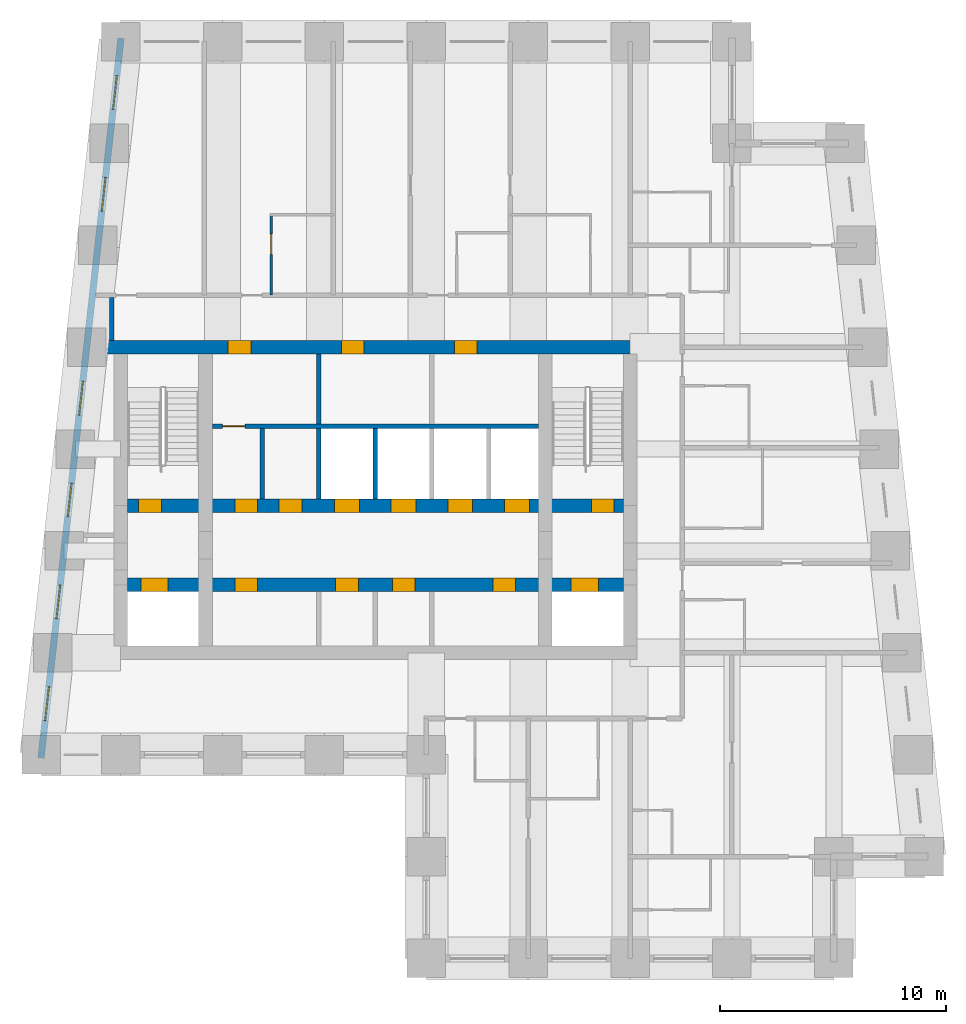
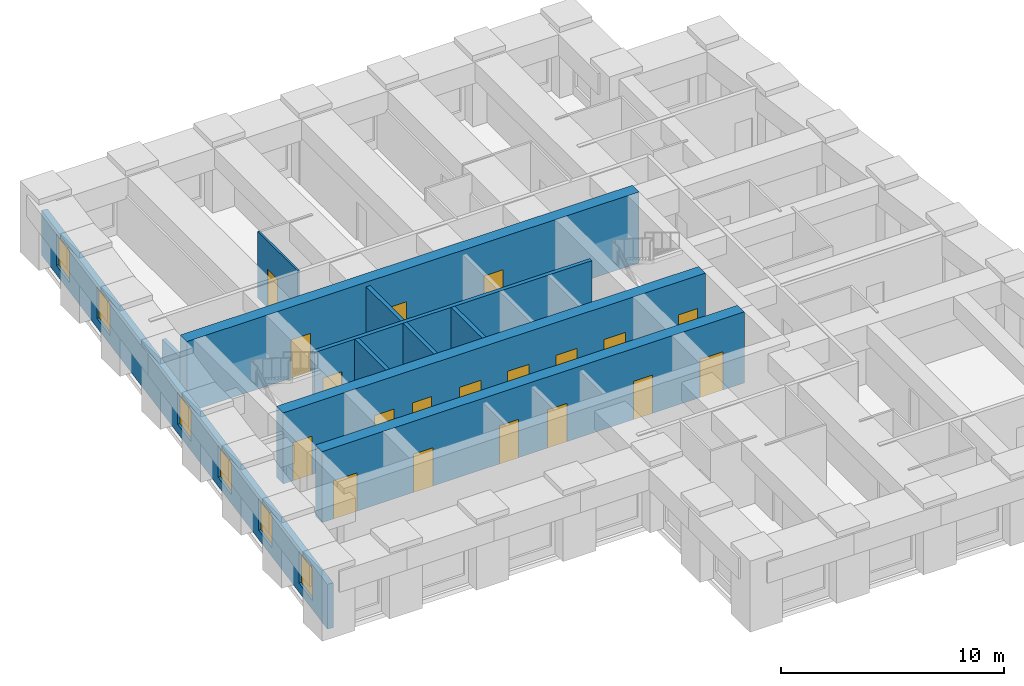
# One storey, part 3 of 7: 19 doors, 11 walls, 6 windows, 25 openings.
"""IFC4 building model written with IfcOpenShell, lengths in metres."""

from ifc_helpers import new_model, si_unit, direction, frame, frame_2d, origin, place, context, subcontext, project, spatial, rectangle, extrude, material, layer, layer_set, type_object, element, fill, save


model = new_model("IFC4")

# Units and contexts
model_context = context("Model", 3, precision=1e-05, world=origin(), true_north=direction((0.0, 1.0)))
body_context = subcontext(model_context, "Body", "Model", "MODEL_VIEW")
ifc_project = project(units=[si_unit("LENGTHUNIT", "METRE"), si_unit("AREAUNIT", "SQUARE_METRE"), si_unit("VOLUMEUNIT", "CUBIC_METRE"), si_unit("PLANEANGLEUNIT", "RADIAN"), si_unit("MASSUNIT", "GRAM", prefix="KILO")], contexts=[model_context])

# Site, building, storey
site_placement = place(None, origin())
site = spatial("IfcSite", under=ifc_project, at=site_placement, CompositionType="ELEMENT")
building_placement = place(site_placement, origin())
building = spatial("IfcBuilding", under=site, at=building_placement, Name="Kilele Tower Hotel", CompositionType="ELEMENT")
storey_placement = place(building_placement, frame((0.0, 0.0, 240.800048828125)))
storey = spatial("IfcBuildingStorey", under=building, at=storey_placement, Name="L62", CompositionType="ELEMENT", Elevation=240.800048828125)

# Wall, opening, door
ifc_material_1 = material(Name="Moisture-resistant board")
ifc_layer_1 = layer(ifc_material_1, 0.10009765625)
ifc_layer_set_1 = layer_set([ifc_layer_1], Name="Moisture-resistant board")
wall_type_1 = type_object("IfcWallType", Name="Bathroom partition 100", PredefinedType="PLUMBINGWALL", material=ifc_layer_set_1)
wall_1_placement = place(storey_placement, frame((20.14990234375, 29.300048828125, 0.0), z_axis=(0.0, 0.0, 1.0), x_axis=(0.0, 1.0, 0.0)))
wall_1 = element("IfcWall", 1, at=wall_1_placement, inside=storey, type_object=wall_type_1, Name="Bathroom partition 100 L62", PredefinedType="PLUMBINGWALL", context=body_context, shape_type="SweptSolid", body=[
    extrude(rectangle(XDim=3.599853515625, YDim=0.10009765625, at=frame_2d((1.7998046875, 0.0))), origin(), (0.0, 0.0, 1.0), 3.64990234375),
])
opening_1_placement = place(wall_1_placement, frame((1.800048828125, 0.0, 0.0)))
opening_1 = element("IfcOpeningElement", 2, at=opening_1_placement, cuts=wall_1, Name="Opening D2A", PredefinedType="OPENING", context=body_context, shape_type="SweptSolid", body=[
    extrude(rectangle(XDim=0.89990234375, YDim=2.10009765625, at=frame_2d((0.449951171875, 1.050048828125))), frame((0.0, 0.06005859375, 0.0), z_axis=(0.0, -1.0, 0.0), x_axis=(1.0, 0.0, 0.0)), (0.0, 0.0, 1.0), 0.1201171875),
])
ifc_material_2 = material(Name="Timber door leaf in hardwood frame", Category="wood")
door_type_1 = type_object("IfcDoorType", Name="Bathroom door 900", OperationType="SINGLE_SWING_LEFT", PredefinedType="DOOR", material=ifc_material_2)
door_1_placement = place(opening_1_placement, origin())
door_1 = element("IfcDoor", 3, at=door_1_placement, inside=storey, type_object=door_type_1, Name="Bathroom door 6208B", OperationType="SINGLE_SWING_RIGHT", OverallHeight=2.10009765625, OverallWidth=0.89990234375, PredefinedType="DOOR", context=body_context, shape_type="SweptSolid", body=[
    extrude(rectangle(XDim=0.89990234375, YDim=2.10009765625, at=frame_2d((0.449951171875, 1.050048828125))), frame((0.0, 0.02490234375, 0.0), z_axis=(0.0, -1.0, 0.0), x_axis=(1.0, 0.0, 0.0)), (0.0, 0.0, 1.0), 0.050048828125),
])
fill(opening_1, door_1)

# Wall, openings, doors
ifc_material_3 = material(Name="Concrete C60/75", Category="concrete")
ifc_layer_2 = layer(ifc_material_3, 0.60009765625)
ifc_layer_set_2 = layer_set([ifc_layer_2], Name="Concrete C60/75")
wall_type_2 = type_object("IfcWallType", Name="Core wall 600 C60/75", PredefinedType="SHEAR", material=ifc_layer_set_2)
wall_2_placement = place(storey_placement, frame((36.300048828125, 27.0, 0.0), z_axis=(0.0, 0.0, 1.0), x_axis=(-1.0, 0.0, 0.0)))
wall_2 = element("IfcWall", 4, at=wall_2_placement, inside=storey, type_object=wall_type_2, Name="Core wall N L62", PredefinedType="SHEAR", context=body_context, shape_type="SweptSolid", body=[
    extrude(rectangle(XDim=23.449951171875, YDim=0.60009765625, at=frame_2d((11.72509765625, 0.0))), origin(), (0.0, 0.0, 1.0), 3.89990234375),
])
opening_2_placement = place(wall_2_placement, frame((17.050048828125, 0.0, 0.0)))
opening_2 = element("IfcOpeningElement", 5, at=opening_2_placement, cuts=wall_2, Name="Opening D12", PredefinedType="OPENING", context=body_context, shape_type="SweptSolid", body=[
    extrude(rectangle(XDim=1.0, YDim=2.10009765625, at=frame_2d((0.5, 1.050048828125))), frame((0.0, 0.31005859375, 0.0), z_axis=(0.0, -1.0, 0.0), x_axis=(1.0, 0.0, 0.0)), (0.0, 0.0, 1.0), 0.6201171875),
])
opening_3_placement = place(wall_2_placement, frame((12.050048828125, 0.0, 0.0)))
opening_3 = element("IfcOpeningElement", 6, at=opening_3_placement, cuts=wall_2, Name="Opening D6", PredefinedType="OPENING", context=body_context, shape_type="SweptSolid", body=[
    extrude(rectangle(XDim=1.0, YDim=2.10009765625, at=frame_2d((0.5, 1.050048828125))), frame((0.0, 0.31005859375, 0.0), z_axis=(0.0, -1.0, 0.0), x_axis=(1.0, 0.0, 0.0)), (0.0, 0.0, 1.0), 0.6201171875),
])
opening_4_placement = place(wall_2_placement, frame((7.050048828125, 0.0, 0.0)))
opening_4 = element("IfcOpeningElement", 7, at=opening_4_placement, cuts=wall_2, Name="Opening D6", PredefinedType="OPENING", context=body_context, shape_type="SweptSolid", body=[
    extrude(rectangle(XDim=1.0, YDim=2.10009765625, at=frame_2d((0.5, 1.050048828125))), frame((0.0, 0.31005859375, 0.0), z_axis=(0.0, -1.0, 0.0), x_axis=(1.0, 0.0, 0.0)), (0.0, 0.0, 1.0), 0.6201171875),
])
ifc_material_4 = material(Name="Timber door leaf in hardwood frame", Category="wood")
door_type_2 = type_object("IfcDoorType", Name="Core lobby door 1000", OperationType="SINGLE_SWING_LEFT", PredefinedType="DOOR", material=ifc_material_4)
door_2_placement = place(opening_2_placement, origin())
door_2 = element("IfcDoor", 8, at=door_2_placement, inside=storey, type_object=door_type_2, Name="North lobby door L62", OperationType="SINGLE_SWING_RIGHT", OverallHeight=2.10009765625, OverallWidth=1.0, PredefinedType="DOOR", context=body_context, shape_type="SweptSolid", body=[
    extrude(rectangle(XDim=1.0, YDim=2.10009765625, at=frame_2d((0.5, 1.050048828125))), frame((0.0, 0.2998046875, 0.0), z_axis=(0.0, -1.0, 0.0), x_axis=(1.0, 0.0, 0.0)), (0.0, 0.0, 1.0), 0.599609375),
])
fill(opening_2, door_2)
ifc_material_5 = material(Name="Timber door leaf in hardwood frame", Category="wood")
door_type_3 = type_object("IfcDoorType", Name="Riser door 1000", OperationType="SINGLE_SWING_LEFT", PredefinedType="DOOR", material=ifc_material_5)
door_3_placement = place(opening_3_placement, origin())
door_3 = element("IfcDoor", 9, at=door_3_placement, inside=storey, type_object=door_type_3, Name="Linen store door L62", OperationType="SINGLE_SWING_RIGHT", OverallHeight=2.10009765625, OverallWidth=1.0, PredefinedType="DOOR", context=body_context, shape_type="SweptSolid", body=[
    extrude(rectangle(XDim=1.0, YDim=2.10009765625, at=frame_2d((0.5, 1.050048828125))), frame((0.0, 0.2998046875, 0.0), z_axis=(0.0, -1.0, 0.0), x_axis=(1.0, 0.0, 0.0)), (0.0, 0.0, 1.0), 0.599609375),
])
fill(opening_3, door_3)
door_4_placement = place(opening_4_placement, origin())
door_4 = element("IfcDoor", 10, at=door_4_placement, inside=storey, type_object=door_type_3, Name="Electrical riser door L62", OperationType="SINGLE_SWING_RIGHT", OverallHeight=2.10009765625, OverallWidth=1.0, PredefinedType="DOOR", context=body_context, shape_type="SweptSolid", body=[
    extrude(rectangle(XDim=1.0, YDim=2.10009765625, at=frame_2d((0.5, 1.050048828125))), frame((0.0, 0.2998046875, 0.0), z_axis=(0.0, -1.0, 0.0), x_axis=(1.0, 0.0, 0.0)), (0.0, 0.0, 1.0), 0.599609375),
])
fill(opening_4, door_4)

wall_3_placement = place(storey_placement, frame((13.800048828125, 16.5, 0.0), z_axis=(0.0, 0.0, 1.0), x_axis=(1.0, 0.0, 0.0)))
wall_3 = element("IfcWall", 11, at=wall_3_placement, inside=storey, type_object=wall_type_2, Name="Core wall LS L62", PredefinedType="SHEAR", context=body_context, shape_type="SweptSolid", body=[
    extrude(rectangle(XDim=21.89990234375, YDim=0.60009765625, at=frame_2d((10.949951171875, 0.0))), origin(), (0.0, 0.0, 1.0), 3.89990234375),
])
opening_5_placement = place(wall_3_placement, frame((5.75, 0.0, 0.0), z_axis=(0.0, 0.0, 1.0), x_axis=(-1.0, 0.0, 0.0)))
opening_5 = element("IfcOpeningElement", 12, at=opening_5_placement, cuts=wall_3, Name="Opening D11", PredefinedType="OPENING", context=body_context, shape_type="SweptSolid", body=[
    extrude(rectangle(XDim=1.0, YDim=2.10009765625, at=frame_2d((0.5, 1.050048828125))), frame((0.0, 0.31005859375, 0.0), z_axis=(0.0, -1.0, 0.0), x_axis=(1.0, 0.0, 0.0)), (0.0, 0.0, 1.0), 0.6201171875),
])
opening_6_placement = place(wall_3_placement, frame((10.199951171875, 0.0, 0.0), z_axis=(0.0, 0.0, 1.0), x_axis=(-1.0, 0.0, 0.0)))
opening_6 = element("IfcOpeningElement", 13, at=opening_6_placement, cuts=wall_3, Name="Opening D11", PredefinedType="OPENING", context=body_context, shape_type="SweptSolid", body=[
    extrude(rectangle(XDim=1.0, YDim=2.10009765625, at=frame_2d((0.5, 1.050048828125))), frame((0.0, 0.31005859375, 0.0), z_axis=(0.0, -1.0, 0.0), x_axis=(1.0, 0.0, 0.0)), (0.0, 0.0, 1.0), 0.6201171875),
])
opening_7_placement = place(wall_3_placement, frame((12.699951171875, 0.0, 0.0), z_axis=(0.0, 0.0, 1.0), x_axis=(-1.0, 0.0, 0.0)))
opening_7 = element("IfcOpeningElement", 14, at=opening_7_placement, cuts=wall_3, Name="Opening D11", PredefinedType="OPENING", context=body_context, shape_type="SweptSolid", body=[
    extrude(rectangle(XDim=1.0, YDim=2.10009765625, at=frame_2d((0.5, 1.050048828125))), frame((0.0, 0.31005859375, 0.0), z_axis=(0.0, -1.0, 0.0), x_axis=(1.0, 0.0, 0.0)), (0.0, 0.0, 1.0), 0.6201171875),
])
opening_8_placement = place(wall_3_placement, frame((17.14990234375, 0.0, 0.0), z_axis=(0.0, 0.0, 1.0), x_axis=(-1.0, 0.0, 0.0)))
opening_8 = element("IfcOpeningElement", 15, at=opening_8_placement, cuts=wall_3, Name="Opening D11", PredefinedType="OPENING", context=body_context, shape_type="SweptSolid", body=[
    extrude(rectangle(XDim=1.0, YDim=2.10009765625, at=frame_2d((0.5, 1.050048828125))), frame((0.0, 0.31005859375, 0.0), z_axis=(0.0, -1.0, 0.0), x_axis=(1.0, 0.0, 0.0)), (0.0, 0.0, 1.0), 0.6201171875),
])
opening_9_placement = place(wall_3_placement, frame((0.60009765625, 0.0, 0.0)))
opening_9 = element("IfcOpeningElement", 16, at=opening_9_placement, cuts=wall_3, Name="Opening LD2", PredefinedType="OPENING", context=body_context, shape_type="SweptSolid", body=[
    extrude(rectangle(XDim=1.199951171875, YDim=2.10009765625, at=frame_2d((0.60009765625, 1.050048828125))), frame((0.0, 0.31005859375, 0.0), z_axis=(0.0, -1.0, 0.0), x_axis=(1.0, 0.0, 0.0)), (0.0, 0.0, 1.0), 0.6201171875),
])
opening_10_placement = place(wall_3_placement, frame((19.60009765625, 0.0, 0.0)))
opening_10 = element("IfcOpeningElement", 17, at=opening_10_placement, cuts=wall_3, Name="Opening LD2", PredefinedType="OPENING", context=body_context, shape_type="SweptSolid", body=[
    extrude(rectangle(XDim=1.199951171875, YDim=2.10009765625, at=frame_2d((0.60009765625, 1.050048828125))), frame((0.0, 0.31005859375, 0.0), z_axis=(0.0, -1.0, 0.0), x_axis=(1.0, 0.0, 0.0)), (0.0, 0.0, 1.0), 0.6201171875),
])
ifc_material_6 = material(Name="Timber door leaf in hardwood frame", Category="wood")
door_type_4 = type_object("IfcDoorType", Name="Core store door 1000", OperationType="SINGLE_SWING_LEFT", PredefinedType="DOOR", material=ifc_material_6)
door_5_placement = place(opening_5_placement, origin())
door_5 = element("IfcDoor", 18, at=door_5_placement, inside=storey, type_object=door_type_4, Name="Core room door L1 L62", OperationType="SINGLE_SWING_RIGHT", OverallHeight=2.10009765625, OverallWidth=1.0, PredefinedType="DOOR", context=body_context, shape_type="SweptSolid", body=[
    extrude(rectangle(XDim=1.0, YDim=2.10009765625, at=frame_2d((0.5, 1.050048828125))), frame((0.0, 0.2998046875, 0.0), z_axis=(0.0, -1.0, 0.0), x_axis=(1.0, 0.0, 0.0)), (0.0, 0.0, 1.0), 0.599609375),
])
fill(opening_5, door_5)
door_6_placement = place(opening_6_placement, origin())
door_6 = element("IfcDoor", 19, at=door_6_placement, inside=storey, type_object=door_type_4, Name="Core room door L3 L62", OperationType="SINGLE_SWING_RIGHT", OverallHeight=2.10009765625, OverallWidth=1.0, PredefinedType="DOOR", context=body_context, shape_type="SweptSolid", body=[
    extrude(rectangle(XDim=1.0, YDim=2.10009765625, at=frame_2d((0.5, 1.050048828125))), frame((0.0, 0.2998046875, 0.0), z_axis=(0.0, -1.0, 0.0), x_axis=(1.0, 0.0, 0.0)), (0.0, 0.0, 1.0), 0.599609375),
])
fill(opening_6, door_6)
door_7_placement = place(opening_7_placement, origin())
door_7 = element("IfcDoor", 20, at=door_7_placement, inside=storey, type_object=door_type_4, Name="Core room door M1 L62", OperationType="SINGLE_SWING_LEFT", OverallHeight=2.10009765625, OverallWidth=1.0, PredefinedType="DOOR", context=body_context, shape_type="SweptSolid", body=[
    extrude(rectangle(XDim=1.0, YDim=2.10009765625, at=frame_2d((0.5, 1.050048828125))), frame((0.0, 0.2998046875, 0.0), z_axis=(0.0, -1.0, 0.0), x_axis=(1.0, 0.0, 0.0)), (0.0, 0.0, 1.0), 0.599609375),
])
fill(opening_7, door_7)
door_8_placement = place(opening_8_placement, origin())
door_8 = element("IfcDoor", 21, at=door_8_placement, inside=storey, type_object=door_type_4, Name="Core room door M3 L62", OperationType="SINGLE_SWING_LEFT", OverallHeight=2.10009765625, OverallWidth=1.0, PredefinedType="DOOR", context=body_context, shape_type="SweptSolid", body=[
    extrude(rectangle(XDim=1.0, YDim=2.10009765625, at=frame_2d((0.5, 1.050048828125))), frame((0.0, 0.2998046875, 0.0), z_axis=(0.0, -1.0, 0.0), x_axis=(1.0, 0.0, 0.0)), (0.0, 0.0, 1.0), 0.599609375),
])
fill(opening_8, door_8)
ifc_material_7 = material(Name="Steel lift landing door", Category="steel")
door_type_5 = type_object("IfcDoorType", Name="Firefighting lift landing door 1200", OperationType="SLIDING_TO_LEFT", PredefinedType="DOOR", material=ifc_material_7)
door_9_placement = place(opening_9_placement, origin())
door_9 = element("IfcDoor", 22, at=door_9_placement, inside=storey, type_object=door_type_5, Name="Landing door FFW L62", OperationType="SLIDING_TO_LEFT", OverallHeight=2.10009765625, OverallWidth=1.199951171875, PredefinedType="DOOR", context=body_context, shape_type="SweptSolid", body=[
    extrude(rectangle(XDim=1.199951171875, YDim=2.10009765625, at=frame_2d((0.60009765625, 1.050048828125))), frame((0.0, 0.2998046875, 0.0), z_axis=(0.0, -1.0, 0.0), x_axis=(1.0, 0.0, 0.0)), (0.0, 0.0, 1.0), 0.599609375),
])
fill(opening_9, door_9)
door_10_placement = place(opening_10_placement, origin())
door_10 = element("IfcDoor", 23, at=door_10_placement, inside=storey, type_object=door_type_5, Name="Landing door FFE L62", OperationType="SLIDING_TO_LEFT", OverallHeight=2.10009765625, OverallWidth=1.199951171875, PredefinedType="DOOR", context=body_context, shape_type="SweptSolid", body=[
    extrude(rectangle(XDim=1.199951171875, YDim=2.10009765625, at=frame_2d((0.60009765625, 1.050048828125))), frame((0.0, 0.2998046875, 0.0), z_axis=(0.0, -1.0, 0.0), x_axis=(1.0, 0.0, 0.0)), (0.0, 0.0, 1.0), 0.599609375),
])
fill(opening_10, door_10)

wall_4_placement = place(storey_placement, frame((13.800048828125, 20.0, 0.0), z_axis=(0.0, 0.0, 1.0), x_axis=(1.0, 0.0, 0.0)))
wall_4 = element("IfcWall", 24, at=wall_4_placement, inside=storey, type_object=wall_type_2, Name="Core wall LN L62", PredefinedType="SHEAR", context=body_context, shape_type="SweptSolid", body=[
    extrude(rectangle(XDim=21.89990234375, YDim=0.60009765625, at=frame_2d((10.949951171875, 0.0))), origin(), (0.0, 0.0, 1.0), 3.89990234375),
])
opening_11_placement = place(wall_4_placement, frame((0.5, 0.0, 0.0)))
opening_11 = element("IfcOpeningElement", 25, at=opening_11_placement, cuts=wall_4, Name="Opening D5", PredefinedType="OPENING", context=body_context, shape_type="SweptSolid", body=[
    extrude(rectangle(XDim=1.0, YDim=2.10009765625, at=frame_2d((0.5, 1.050048828125))), frame((0.0, 0.31005859375, 0.0), z_axis=(0.0, -1.0, 0.0), x_axis=(1.0, 0.0, 0.0)), (0.0, 0.0, 1.0), 0.6201171875),
])
opening_12_placement = place(wall_4_placement, frame((20.5, 0.0, 0.0)))
opening_12 = element("IfcOpeningElement", 26, at=opening_12_placement, cuts=wall_4, Name="Opening D5", PredefinedType="OPENING", context=body_context, shape_type="SweptSolid", body=[
    extrude(rectangle(XDim=1.0, YDim=2.10009765625, at=frame_2d((0.5, 1.050048828125))), frame((0.0, 0.31005859375, 0.0), z_axis=(0.0, -1.0, 0.0), x_axis=(1.0, 0.0, 0.0)), (0.0, 0.0, 1.0), 0.6201171875),
])
opening_13_placement = place(wall_4_placement, frame((9.14990234375, 0.0, 0.0)))
opening_13 = element("IfcOpeningElement", 27, at=opening_13_placement, cuts=wall_4, Name="Opening LD1", PredefinedType="OPENING", context=body_context, shape_type="SweptSolid", body=[
    extrude(rectangle(XDim=1.10009765625, YDim=2.10009765625, at=frame_2d((0.550048828125, 1.050048828125))), frame((0.0, 0.31005859375, 0.0), z_axis=(0.0, -1.0, 0.0), x_axis=(1.0, 0.0, 0.0)), (0.0, 0.0, 1.0), 0.6201171875),
])
opening_14_placement = place(wall_4_placement, frame((11.64990234375, 0.0, 0.0)))
opening_14 = element("IfcOpeningElement", 28, at=opening_14_placement, cuts=wall_4, Name="Opening LD1", PredefinedType="OPENING", context=body_context, shape_type="SweptSolid", body=[
    extrude(rectangle(XDim=1.10009765625, YDim=2.10009765625, at=frame_2d((0.550048828125, 1.050048828125))), frame((0.0, 0.31005859375, 0.0), z_axis=(0.0, -1.0, 0.0), x_axis=(1.0, 0.0, 0.0)), (0.0, 0.0, 1.0), 0.6201171875),
])
opening_15_placement = place(wall_4_placement, frame((14.14990234375, 0.0, 0.0)))
opening_15 = element("IfcOpeningElement", 29, at=opening_15_placement, cuts=wall_4, Name="Opening LD1", PredefinedType="OPENING", context=body_context, shape_type="SweptSolid", body=[
    extrude(rectangle(XDim=1.10009765625, YDim=2.10009765625, at=frame_2d((0.550048828125, 1.050048828125))), frame((0.0, 0.31005859375, 0.0), z_axis=(0.0, -1.0, 0.0), x_axis=(1.0, 0.0, 0.0)), (0.0, 0.0, 1.0), 0.6201171875),
])
opening_16_placement = place(wall_4_placement, frame((16.64990234375, 0.0, 0.0)))
opening_16 = element("IfcOpeningElement", 30, at=opening_16_placement, cuts=wall_4, Name="Opening LD1", PredefinedType="OPENING", context=body_context, shape_type="SweptSolid", body=[
    extrude(rectangle(XDim=1.10009765625, YDim=2.10009765625, at=frame_2d((0.550048828125, 1.050048828125))), frame((0.0, 0.31005859375, 0.0), z_axis=(0.0, -1.0, 0.0), x_axis=(1.0, 0.0, 0.0)), (0.0, 0.0, 1.0), 0.6201171875),
])
opening_17_placement = place(wall_4_placement, frame((5.75, 0.0, 0.0), z_axis=(0.0, 0.0, 1.0), x_axis=(-1.0, 0.0, 0.0)))
opening_17 = element("IfcOpeningElement", 31, at=opening_17_placement, cuts=wall_4, Name="Opening D12", PredefinedType="OPENING", context=body_context, shape_type="SweptSolid", body=[
    extrude(rectangle(XDim=1.0, YDim=2.10009765625, at=frame_2d((0.5, 1.050048828125))), frame((0.0, 0.31005859375, 0.0), z_axis=(0.0, -1.0, 0.0), x_axis=(1.0, 0.0, 0.0)), (0.0, 0.0, 1.0), 0.6201171875),
])
opening_18_placement = place(wall_4_placement, frame((6.699951171875, 0.0, 0.0)))
opening_18 = element("IfcOpeningElement", 32, at=opening_18_placement, cuts=wall_4, Name="Opening D11", PredefinedType="OPENING", context=body_context, shape_type="SweptSolid", body=[
    extrude(rectangle(XDim=1.0, YDim=2.10009765625, at=frame_2d((0.5, 1.050048828125))), frame((0.0, 0.31005859375, 0.0), z_axis=(0.0, -1.0, 0.0), x_axis=(1.0, 0.0, 0.0)), (0.0, 0.0, 1.0), 0.6201171875),
])
door_11_placement = place(opening_17_placement, origin())
door_11 = element("IfcDoor", 33, at=door_11_placement, inside=storey, type_object=door_type_2, Name="Core passage door L62", OperationType="SINGLE_SWING_RIGHT", OverallHeight=2.10009765625, OverallWidth=1.0, PredefinedType="DOOR", context=body_context, shape_type="SweptSolid", body=[
    extrude(rectangle(XDim=1.0, YDim=2.10009765625, at=frame_2d((0.5, 1.050048828125))), frame((0.0, 0.2998046875, 0.0), z_axis=(0.0, -1.0, 0.0), x_axis=(1.0, 0.0, 0.0)), (0.0, 0.0, 1.0), 0.599609375),
])
fill(opening_17, door_11)
door_12_placement = place(opening_18_placement, origin())
door_12 = element("IfcDoor", 34, at=door_12_placement, inside=storey, type_object=door_type_4, Name="Core room door S2 L62", OperationType="SINGLE_SWING_LEFT", OverallHeight=2.10009765625, OverallWidth=1.0, PredefinedType="DOOR", context=body_context, shape_type="SweptSolid", body=[
    extrude(rectangle(XDim=1.0, YDim=2.10009765625, at=frame_2d((0.5, 1.050048828125))), frame((0.0, 0.2998046875, 0.0), z_axis=(0.0, -1.0, 0.0), x_axis=(1.0, 0.0, 0.0)), (0.0, 0.0, 1.0), 0.599609375),
])
fill(opening_18, door_12)
ifc_material_8 = material(Name="Steel lift landing door", Category="steel")
door_type_6 = type_object("IfcDoorType", Name="Lift landing door 1100", OperationType="SLIDING_TO_LEFT", PredefinedType="DOOR", material=ifc_material_8)
door_13_placement = place(opening_13_placement, origin())
door_13 = element("IfcDoor", 35, at=door_13_placement, inside=storey, type_object=door_type_6, Name="Landing door H1 L62", OperationType="SLIDING_TO_LEFT", OverallHeight=2.10009765625, OverallWidth=1.10009765625, PredefinedType="DOOR", context=body_context, shape_type="SweptSolid", body=[
    extrude(rectangle(XDim=1.10009765625, YDim=2.10009765625, at=frame_2d((0.550048828125, 1.050048828125))), frame((0.0, 0.2998046875, 0.0), z_axis=(0.0, -1.0, 0.0), x_axis=(1.0, 0.0, 0.0)), (0.0, 0.0, 1.0), 0.599609375),
])
fill(opening_13, door_13)
door_14_placement = place(opening_14_placement, origin())
door_14 = element("IfcDoor", 36, at=door_14_placement, inside=storey, type_object=door_type_6, Name="Landing door H2 L62", OperationType="SLIDING_TO_LEFT", OverallHeight=2.10009765625, OverallWidth=1.10009765625, PredefinedType="DOOR", context=body_context, shape_type="SweptSolid", body=[
    extrude(rectangle(XDim=1.10009765625, YDim=2.10009765625, at=frame_2d((0.550048828125, 1.050048828125))), frame((0.0, 0.2998046875, 0.0), z_axis=(0.0, -1.0, 0.0), x_axis=(1.0, 0.0, 0.0)), (0.0, 0.0, 1.0), 0.599609375),
])
fill(opening_14, door_14)
door_15_placement = place(opening_15_placement, origin())
door_15 = element("IfcDoor", 37, at=door_15_placement, inside=storey, type_object=door_type_6, Name="Landing door H3 L62", OperationType="SLIDING_TO_LEFT", OverallHeight=2.10009765625, OverallWidth=1.10009765625, PredefinedType="DOOR", context=body_context, shape_type="SweptSolid", body=[
    extrude(rectangle(XDim=1.10009765625, YDim=2.10009765625, at=frame_2d((0.550048828125, 1.050048828125))), frame((0.0, 0.2998046875, 0.0), z_axis=(0.0, -1.0, 0.0), x_axis=(1.0, 0.0, 0.0)), (0.0, 0.0, 1.0), 0.599609375),
])
fill(opening_15, door_15)
door_16_placement = place(opening_16_placement, origin())
door_16 = element("IfcDoor", 38, at=door_16_placement, inside=storey, type_object=door_type_6, Name="Landing door G1 L62", OperationType="SLIDING_TO_LEFT", OverallHeight=2.10009765625, OverallWidth=1.10009765625, PredefinedType="DOOR", context=body_context, shape_type="SweptSolid", body=[
    extrude(rectangle(XDim=1.10009765625, YDim=2.10009765625, at=frame_2d((0.550048828125, 1.050048828125))), frame((0.0, 0.2998046875, 0.0), z_axis=(0.0, -1.0, 0.0), x_axis=(1.0, 0.0, 0.0)), (0.0, 0.0, 1.0), 0.599609375),
])
fill(opening_16, door_16)
ifc_material_9 = material(Name="Timber door leaf in hardwood frame", Category="wood")
door_type_7 = type_object("IfcDoorType", Name="Stair door 1000", OperationType="SINGLE_SWING_LEFT", PredefinedType="DOOR", material=ifc_material_9)
door_17_placement = place(opening_11_placement, origin())
door_17 = element("IfcDoor", 39, at=door_17_placement, inside=storey, type_object=door_type_7, Name="Stair 1 door L62", OperationType="SINGLE_SWING_LEFT", OverallHeight=2.10009765625, OverallWidth=1.0, PredefinedType="DOOR", context=body_context, shape_type="SweptSolid", body=[
    extrude(rectangle(XDim=1.0, YDim=2.10009765625, at=frame_2d((0.5, 1.050048828125))), frame((0.0, 0.2998046875, 0.0), z_axis=(0.0, -1.0, 0.0), x_axis=(1.0, 0.0, 0.0)), (0.0, 0.0, 1.0), 0.599609375),
])
fill(opening_11, door_17)
door_18_placement = place(opening_12_placement, origin())
door_18 = element("IfcDoor", 40, at=door_18_placement, inside=storey, type_object=door_type_7, Name="Stair 2 door L62", OperationType="SINGLE_SWING_RIGHT", OverallHeight=2.10009765625, OverallWidth=1.0, PredefinedType="DOOR", context=body_context, shape_type="SweptSolid", body=[
    extrude(rectangle(XDim=1.0, YDim=2.10009765625, at=frame_2d((0.5, 1.050048828125))), frame((0.0, 0.2998046875, 0.0), z_axis=(0.0, -1.0, 0.0), x_axis=(1.0, 0.0, 0.0)), (0.0, 0.0, 1.0), 0.599609375),
])
fill(opening_12, door_18)

# Wall
ifc_material_10 = material(Name="Blockwork, plastered both sides", Category="masonry")
ifc_layer_3 = layer(ifc_material_10, 0.199951171875)
ifc_layer_set_3 = layer_set([ifc_layer_3], Name="Blockwork, plastered both sides")
wall_type_3 = type_object("IfcWallType", Name="Partition wall 200", PredefinedType="PARTITIONING", material=ifc_layer_set_3)
wall_5_placement = place(storey_placement, frame((13.10009765625, 27.300048828125, 0.0), z_axis=(0.0, 0.0, 1.0), x_axis=(0.0, 1.0, 0.0)))
element("IfcWall", 41, at=wall_5_placement, inside=storey, type_object=wall_type_3, Name="Partition wall 200 L62", PredefinedType="PARTITIONING", context=body_context, shape_type="SweptSolid", body=[
    extrude(rectangle(XDim=1.89990234375, YDim=0.199951171875, at=frame_2d((0.949951171875, 0.0))), origin(), (0.0, 0.0, 1.0), 2.449951171875),
])

# Wall, openings, windows
ifc_material_11 = material(Name="Concrete C40/50 precast", Category="concrete")
ifc_layer_4 = layer(ifc_material_11, 0.260009765625, Name="Precast backing", Category="LoadBearing")
ifc_material_12 = material(Name="Reconstituted stone finish", Category="masonry")
ifc_layer_5 = layer(ifc_material_12, 0.0400390625, Name="Face mix", Category="Finish")
ifc_layer_set_4 = layer_set([ifc_layer_4, ifc_layer_5], Name="Precast concrete C40/50, reconstituted stone finish")
wall_type_4 = type_object("IfcWallType", Name="Precast stone facade wall 300", PredefinedType="STANDARD", material=ifc_layer_set_4)
wall_6_placement = place(storey_placement, frame((13.5166015625, 40.649169921875, 0.0), z_axis=(0.0, 0.0, 1.0), x_axis=(-0.110433201132, -0.993883548555, 0.0)))
wall_6 = element("IfcWall", 42, at=wall_6_placement, inside=storey, type_object=wall_type_4, Name="Facade wall L62 edge 10", PredefinedType="STANDARD", context=body_context, shape_type="SweptSolid", body=[
    extrude(rectangle(XDim=31.994140625, YDim=0.300048828125, at=frame_2d((15.9970703125, 0.0))), origin(), (0.0, 0.0, 1.0), 2.449951171875),
])
opening_19_placement = place(wall_6_placement, frame((1.6640625, 0.0, 0.5)))
opening_19 = element("IfcOpeningElement", 43, at=opening_19_placement, cuts=wall_6, Name="Opening W4", PredefinedType="OPENING", context=body_context, shape_type="SweptSolid", body=[
    extrude(rectangle(XDim=1.5, YDim=1.75, at=frame_2d((0.75, 0.875))), frame((0.0, 0.159912109375, 0.0), z_axis=(0.0, -1.0, 0.0), x_axis=(1.0, 0.0, 0.0)), (0.0, 0.0, 1.0), 0.320068359375),
])
opening_20_placement = place(wall_6_placement, frame((6.19189453125, 0.0, 0.5)))
opening_20 = element("IfcOpeningElement", 44, at=opening_20_placement, cuts=wall_6, Name="Opening W4", PredefinedType="OPENING", context=body_context, shape_type="SweptSolid", body=[
    extrude(rectangle(XDim=1.5, YDim=1.75, at=frame_2d((0.75, 0.875))), frame((0.0, 0.159912109375, 0.0), z_axis=(0.0, -1.0, 0.0), x_axis=(1.0, 0.0, 0.0)), (0.0, 0.0, 1.0), 0.320068359375),
])
opening_21_placement = place(wall_6_placement, frame((15.2470703125, 0.0, 0.5)))
opening_21 = element("IfcOpeningElement", 45, at=opening_21_placement, cuts=wall_6, Name="Opening W4", PredefinedType="OPENING", context=body_context, shape_type="SweptSolid", body=[
    extrude(rectangle(XDim=1.5, YDim=1.75, at=frame_2d((0.75, 0.875))), frame((0.0, 0.159912109375, 0.0), z_axis=(0.0, -1.0, 0.0), x_axis=(1.0, 0.0, 0.0)), (0.0, 0.0, 1.0), 0.320068359375),
])
opening_22_placement = place(wall_6_placement, frame((19.77490234375, 0.0, 0.5)))
opening_22 = element("IfcOpeningElement", 46, at=opening_22_placement, cuts=wall_6, Name="Opening W4", PredefinedType="OPENING", context=body_context, shape_type="SweptSolid", body=[
    extrude(rectangle(XDim=1.5, YDim=1.75, at=frame_2d((0.75, 0.875))), frame((0.0, 0.159912109375, 0.0), z_axis=(0.0, -1.0, 0.0), x_axis=(1.0, 0.0, 0.0)), (0.0, 0.0, 1.0), 0.320068359375),
])
opening_23_placement = place(wall_6_placement, frame((24.302001953125, 0.0, 0.5)))
opening_23 = element("IfcOpeningElement", 47, at=opening_23_placement, cuts=wall_6, Name="Opening W4", PredefinedType="OPENING", context=body_context, shape_type="SweptSolid", body=[
    extrude(rectangle(XDim=1.5, YDim=1.75, at=frame_2d((0.75, 0.875))), frame((0.0, 0.159912109375, 0.0), z_axis=(0.0, -1.0, 0.0), x_axis=(1.0, 0.0, 0.0)), (0.0, 0.0, 1.0), 0.320068359375),
])
opening_24_placement = place(wall_6_placement, frame((28.830078125, 0.0, 0.5)))
opening_24 = element("IfcOpeningElement", 48, at=opening_24_placement, cuts=wall_6, Name="Opening W4", PredefinedType="OPENING", context=body_context, shape_type="SweptSolid", body=[
    extrude(rectangle(XDim=1.5, YDim=1.75, at=frame_2d((0.75, 0.875))), frame((0.0, 0.159912109375, 0.0), z_axis=(0.0, -1.0, 0.0), x_axis=(1.0, 0.0, 0.0)), (0.0, 0.0, 1.0), 0.320068359375),
])
ifc_material_13 = material(Name="Aluminium frame, clear double glazing", Category="aluminium")
window_type = type_object("IfcWindowType", Name="Window W4 1500 x 1750", PartitioningType="SINGLE_PANEL", PredefinedType="WINDOW", material=ifc_material_13)
window_1_placement = place(opening_19_placement, origin())
window_1 = element("IfcWindow", 49, at=window_1_placement, inside=storey, type_object=window_type, Name="Window L62", OverallHeight=1.75, OverallWidth=1.5, PartitioningType="SINGLE_PANEL", PredefinedType="WINDOW", context=body_context, shape_type="SweptSolid", body=[
    extrude(rectangle(XDim=1.5, YDim=1.75, at=frame_2d((0.75, 0.875))), frame((0.0, 0.030029296875, 0.0), z_axis=(0.0, -1.0, 0.0), x_axis=(1.0, 0.0, 0.0)), (0.0, 0.0, 1.0), 0.06005859375),
])
fill(opening_19, window_1)
window_2_placement = place(opening_20_placement, origin())
window_2 = element("IfcWindow", 50, at=window_2_placement, inside=storey, type_object=window_type, Name="Window L62", OverallHeight=1.75, OverallWidth=1.5, PartitioningType="SINGLE_PANEL", PredefinedType="WINDOW", context=body_context, shape_type="SweptSolid", body=[
    extrude(rectangle(XDim=1.5, YDim=1.75, at=frame_2d((0.75, 0.875))), frame((0.0, 0.030029296875, 0.0), z_axis=(0.0, -1.0, 0.0), x_axis=(1.0, 0.0, 0.0)), (0.0, 0.0, 1.0), 0.06005859375),
])
fill(opening_20, window_2)
window_3_placement = place(opening_21_placement, origin())
window_3 = element("IfcWindow", 51, at=window_3_placement, inside=storey, type_object=window_type, Name="Window L62", OverallHeight=1.75, OverallWidth=1.5, PartitioningType="SINGLE_PANEL", PredefinedType="WINDOW", context=body_context, shape_type="SweptSolid", body=[
    extrude(rectangle(XDim=1.5, YDim=1.75, at=frame_2d((0.75, 0.875))), frame((0.0, 0.030029296875, 0.0), z_axis=(0.0, -1.0, 0.0), x_axis=(1.0, 0.0, 0.0)), (0.0, 0.0, 1.0), 0.06005859375),
])
fill(opening_21, window_3)
window_4_placement = place(opening_22_placement, origin())
window_4 = element("IfcWindow", 52, at=window_4_placement, inside=storey, type_object=window_type, Name="Window L62", OverallHeight=1.75, OverallWidth=1.5, PartitioningType="SINGLE_PANEL", PredefinedType="WINDOW", context=body_context, shape_type="SweptSolid", body=[
    extrude(rectangle(XDim=1.5, YDim=1.75, at=frame_2d((0.75, 0.875))), frame((0.0, 0.030029296875, 0.0), z_axis=(0.0, -1.0, 0.0), x_axis=(1.0, 0.0, 0.0)), (0.0, 0.0, 1.0), 0.06005859375),
])
fill(opening_22, window_4)
window_5_placement = place(opening_23_placement, origin())
window_5 = element("IfcWindow", 53, at=window_5_placement, inside=storey, type_object=window_type, Name="Window L62", OverallHeight=1.75, OverallWidth=1.5, PartitioningType="SINGLE_PANEL", PredefinedType="WINDOW", context=body_context, shape_type="SweptSolid", body=[
    extrude(rectangle(XDim=1.5, YDim=1.75, at=frame_2d((0.75, 0.875))), frame((0.0, 0.030029296875, 0.0), z_axis=(0.0, -1.0, 0.0), x_axis=(1.0, 0.0, 0.0)), (0.0, 0.0, 1.0), 0.06005859375),
])
fill(opening_23, window_5)
window_6_placement = place(opening_24_placement, origin())
window_6 = element("IfcWindow", 54, at=window_6_placement, inside=storey, type_object=window_type, Name="Window L62", OverallHeight=1.75, OverallWidth=1.5, PartitioningType="SINGLE_PANEL", PredefinedType="WINDOW", context=body_context, shape_type="SweptSolid", body=[
    extrude(rectangle(XDim=1.5, YDim=1.75, at=frame_2d((0.75, 0.875))), frame((0.0, 0.030029296875, 0.0), z_axis=(0.0, -1.0, 0.0), x_axis=(1.0, 0.0, 0.0)), (0.0, 0.0, 1.0), 0.06005859375),
])
fill(opening_24, window_6)

# Walls
ifc_material_14 = material(Name="Blockwork, fire-rated", Category="masonry")
ifc_layer_6 = layer(ifc_material_14, 0.199951171875)
ifc_layer_set_5 = layer_set([ifc_layer_6], Name="Blockwork, fire-rated")
wall_type_5 = type_object("IfcWallType", Name="Shaft wall 200", PredefinedType="PARTITIONING", material=ifc_layer_set_5)
for number, where, z_axis, x_axis, name in (
    (55, (19.75, 20.300048828125, 0.0), (0.0, 0.0, 1.0), (0.0, 1.0, 0.0), "Shaft wall 200 L62"),
    (56, (22.25, 20.300048828125, 0.0), (0.0, 0.0, 1.0), (0.0, 1.0, 0.0), "Shaft wall 200 L62"),
    (57, (24.75, 20.300048828125, 0.0), (0.0, 0.0, 1.0), (0.0, 1.0, 0.0), "Shaft wall 200 L62"),
):
    element("IfcWall", number, at=place(storey_placement, frame(where, z_axis=z_axis, x_axis=x_axis)), inside=storey, type_object=wall_type_5, Name=name, PredefinedType="PARTITIONING", context=body_context, shape_type="SweptSolid", body=[
        extrude(rectangle(XDim=3.099853515625, YDim=0.199951171875, at=frame_2d((1.5498046875, 0.0))), origin(), (0.0, 0.0, 1.0), 3.64990234375),
    ])

# Wall, opening, door
wall_7_placement = place(storey_placement, frame((17.550048828125, 23.5, 0.0), z_axis=(0.0, 0.0, 1.0), x_axis=(1.0, 0.0, 0.0)))
wall_7 = element("IfcWall", 58, at=wall_7_placement, inside=storey, type_object=wall_type_5, Name="Shaft wall 200 L62", PredefinedType="PARTITIONING", context=body_context, shape_type="SweptSolid", body=[
    extrude(rectangle(XDim=14.39990234375, YDim=0.199951171875, at=frame_2d((7.199951171875, 0.0))), origin(), (0.0, 0.0, 1.0), 3.64990234375),
])
opening_25_placement = place(wall_7_placement, frame((0.449951171875, 0.0, 0.0)))
opening_25 = element("IfcOpeningElement", 59, at=opening_25_placement, cuts=wall_7, Name="Opening D12", PredefinedType="OPENING", context=body_context, shape_type="SweptSolid", body=[
    extrude(rectangle(XDim=1.0, YDim=2.10009765625, at=frame_2d((0.5, 1.050048828125))), frame((0.0, 0.10986328125, 0.0), z_axis=(0.0, -1.0, 0.0), x_axis=(1.0, 0.0, 0.0)), (0.0, 0.0, 1.0), 0.219970703125),
])
door_19_placement = place(opening_25_placement, origin())
door_19 = element("IfcDoor", 60, at=door_19_placement, inside=storey, type_object=door_type_2, Name="Core passage door", OperationType="SINGLE_SWING_LEFT", OverallHeight=2.10009765625, OverallWidth=1.0, PredefinedType="DOOR", context=body_context, shape_type="SweptSolid", body=[
    extrude(rectangle(XDim=1.0, YDim=2.10009765625, at=frame_2d((0.5, 1.050048828125))), frame((0.0, 0.02490234375, 0.0), z_axis=(0.0, -1.0, 0.0), x_axis=(1.0, 0.0, 0.0)), (0.0, 0.0, 1.0), 0.050048828125),
])
fill(opening_25, door_19)

# Wall
wall_8_placement = place(storey_placement, frame((22.25, 23.60009765625, 0.0), z_axis=(0.0, 0.0, 1.0), x_axis=(0.0, 1.0, 0.0)))
element("IfcWall", 61, at=wall_8_placement, inside=storey, type_object=wall_type_5, Name="Shaft wall 200 L62", PredefinedType="PARTITIONING", context=body_context, shape_type="SweptSolid", body=[
    extrude(rectangle(XDim=3.099853515625, YDim=0.199951171875, at=frame_2d((1.5498046875, 0.0))), origin(), (0.0, 0.0, 1.0), 3.64990234375),
])

save(model, "model.ifc")
